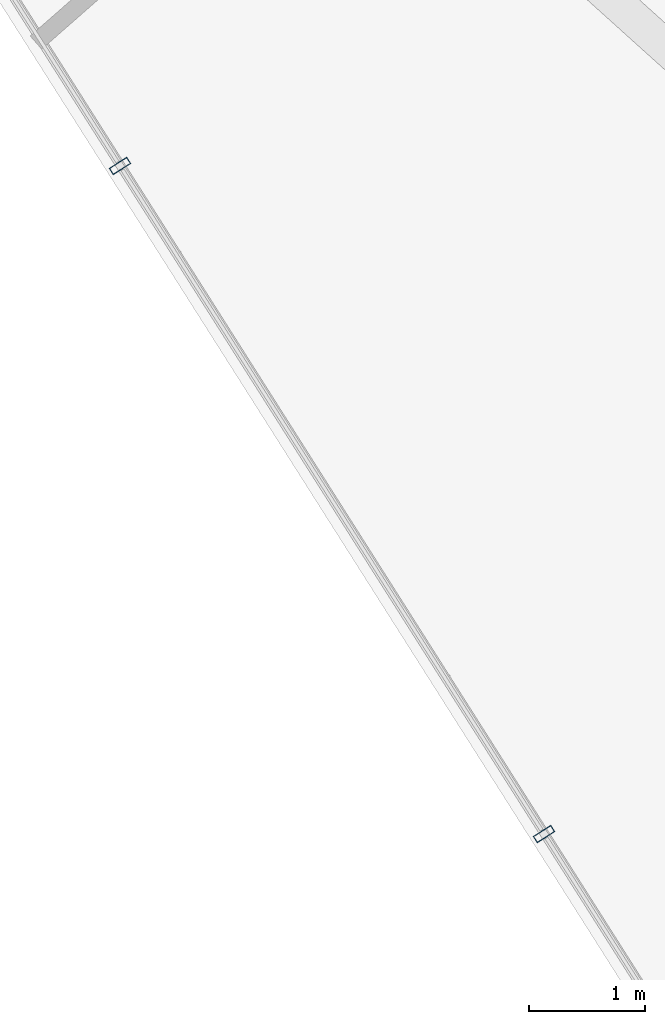
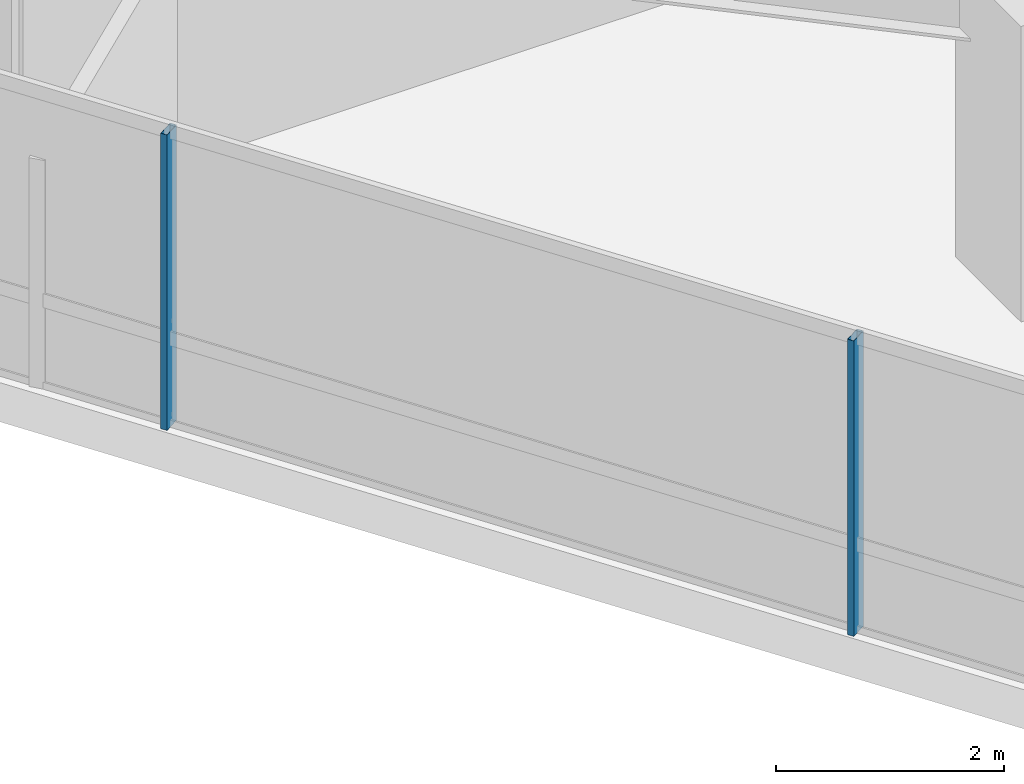
# One storey, part 2 of 25: 2 members, 1 element without a shape of its own.
"""IFC4 building model written with IfcOpenShell, lengths in metres."""

from ifc_helpers import new_model, si_unit, direction, frame, origin, origin_2d, place, context, subcontext, project, spatial, hollow_rectangle, extrude, material, layer, layer_set, material_profile, profile_set, type_object, element, aggregate, save


model = new_model("IFC4")

# Units and contexts
model_context = context("Model", 3, precision=1e-05, world=origin(), true_north=direction((0.0, 1.0)))
body_context = subcontext(model_context, "Body", "Model", "MODEL_VIEW")
ifc_project = project(units=[si_unit("LENGTHUNIT", "METRE"), si_unit("AREAUNIT", "SQUARE_METRE"), si_unit("VOLUMEUNIT", "CUBIC_METRE"), si_unit("PLANEANGLEUNIT", "RADIAN"), si_unit("MASSUNIT", "GRAM", prefix="KILO")], contexts=[model_context])

# Site, building, storey
site_placement = place(None, origin())
site = spatial("IfcSite", under=ifc_project, at=site_placement, CompositionType="ELEMENT")
building_placement = place(site_placement, origin())
building = spatial("IfcBuilding", under=site, at=building_placement, Name="Qarnah Convention Tower", CompositionType="ELEMENT")
storey_placement = place(building_placement, frame((0.0, 0.0, 76.35009765625)))
storey = spatial("IfcBuildingStorey", under=building, at=storey_placement, Name="L19", CompositionType="ELEMENT", Elevation=76.35009765625)

# Curtain wall, members
ifc_material_1 = material(Name="Tempered Low-E dark glass", Category="glass")
ifc_layer = layer(ifc_material_1, 0.169921875)
ifc_layer_set = layer_set([ifc_layer], Name="Tempered Low-E dark glass")
curtain_wall_type = type_object("IfcCurtainWallType", Name="CWS-02", PredefinedType="NOTDEFINED", material=ifc_layer_set)
curtain_wall_placement = place(storey_placement, origin())
curtain_wall = element("IfcCurtainWall", 1, at=curtain_wall_placement, inside=storey, type_object=curtain_wall_type, Name="L19 unitised curtain wall CW-L19-F3", PredefinedType="NOTDEFINED")
ifc_material_2 = material(Name="Black anodised aluminium", Category="aluminium")
ifc_material_profile = material_profile(ifc_material_2, hollow_rectangle(XDim=0.06494140625, YDim=0.179931640625, WallThickness=0.00390625, at=origin_2d()), Name="MUL-65X180")
ifc_profile_set = profile_set([ifc_material_profile], Name="Black anodised aluminium")
member_type = type_object("IfcMemberType", Name="MUL-T2", PredefinedType="MULLION", material=ifc_profile_set)
member_1_placement = place(storey_placement, frame((28.166015625, 7.578125, 0.0), z_axis=(0.0, 0.0, 1.0), x_axis=(-0.535845377326, 0.844316132499, 0.0)))
member_1 = element("IfcMember", 2, at=member_1_placement, type_object=member_type, Name="CW-L19-F3 mullion 2", PredefinedType="MULLION", context=body_context, shape_type="SweptSolid", body=[
    extrude(hollow_rectangle(XDim=0.06494140625, YDim=0.179931640625, WallThickness=0.00390625, at=origin_2d()), origin(), (0.0, 0.0, 1.0), 3.169921875),
])
member_2_placement = place(storey_placement, frame((24.51611328125, 13.329345703125, 0.0), z_axis=(0.0, 0.0, 1.0), x_axis=(-0.535845377326, 0.844316132499, 0.0)))
member_2 = element("IfcMember", 3, at=member_2_placement, type_object=member_type, Name="CW-L19-F3 mullion 3", PredefinedType="MULLION", context=body_context, shape_type="SweptSolid", body=[
    extrude(hollow_rectangle(XDim=0.06494140625, YDim=0.179931640625, WallThickness=0.00390625, at=origin_2d()), origin(), (0.0, 0.0, 1.0), 3.169921875),
])
aggregate(curtain_wall, [member_1, member_2])

save(model, "model.ifc")
